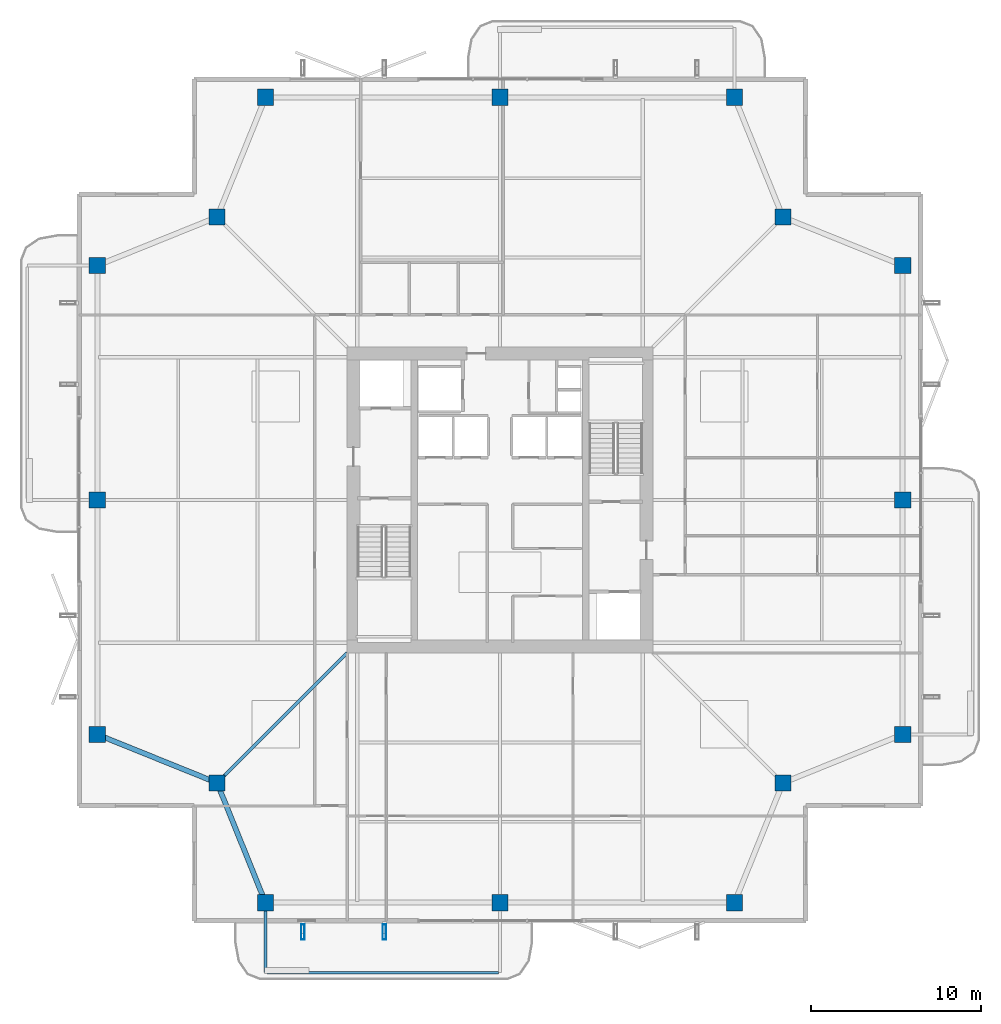
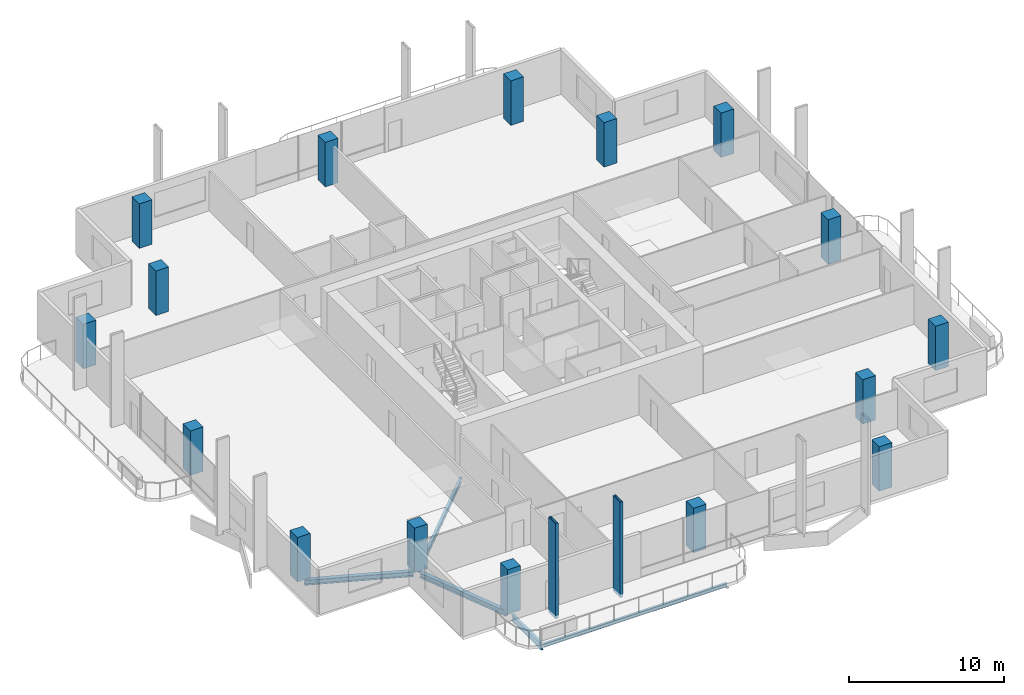
# One storey, part 1 of 25: 16 columns, 5 beams, 2 members.
"""IFC4 building model written with IfcOpenShell, lengths in metres."""

from ifc_helpers import new_model, si_unit, direction, frame, origin, origin_2d, place, context, subcontext, project, spatial, rectangle, hollow_rectangle, i_section, extrude, material, material_profile, profile_set, type_object, element, save


model = new_model("IFC4")

# Units and contexts
model_context = context("Model", 3, precision=1e-05, world=origin(), true_north=direction((0.0, 1.0)))
body_context = subcontext(model_context, "Body", "Model", "MODEL_VIEW")
ifc_project = project(units=[si_unit("LENGTHUNIT", "METRE"), si_unit("AREAUNIT", "SQUARE_METRE"), si_unit("VOLUMEUNIT", "CUBIC_METRE"), si_unit("PLANEANGLEUNIT", "RADIAN"), si_unit("MASSUNIT", "GRAM", prefix="KILO")], contexts=[model_context])

# Site, building, storey
site_placement = place(None, origin())
site = spatial("IfcSite", under=ifc_project, at=site_placement, CompositionType="ELEMENT")
building_placement = place(site_placement, origin())
building = spatial("IfcBuilding", under=site, at=building_placement, Name="Belovzor Exchange Tower", CompositionType="ELEMENT")
storey_placement = place(building_placement, frame((0.0, 0.0, 265.35009765625)))
storey = spatial("IfcBuildingStorey", under=building, at=storey_placement, Name="L66", CompositionType="ELEMENT", Elevation=265.35009765625)

# Columns
ifc_material_1 = material(Name="Concrete C50/60", Category="concrete")
ifc_material_profile_1 = material_profile(ifc_material_1, rectangle(XDim=0.949951171875, YDim=0.949951171875, at=origin_2d()))
ifc_profile_set_1 = profile_set([ifc_material_profile_1], Name="Concrete C50/60")
column_type = type_object("IfcColumnType", Name="Reinforced Concrete Tower Column 950x950", PredefinedType="COLUMN", material=ifc_profile_set_1)
for number, where, z_axis, x_axis, name in (
    (1, (15.0, 5.10009765625, 0.0029296875), (0.0, 0.0, 1.0), (1.0, 0.0, 0.0), "COL-T095 Reinforced Concrete Tower Column 950x950"),
    (2, (28.800048828125, 5.10009765625, 0.0029296875), (0.0, 0.0, 1.0), (1.0, 0.0, 0.0), "COL-T095 Reinforced Concrete Tower Column 950x950"),
    (3, (42.60009765625, 5.10009765625, 0.0029296875), (0.0, 0.0, 1.0), (1.0, 0.0, 0.0), "COL-T095 Reinforced Concrete Tower Column 950x950"),
    (4, (52.5, 15.0, 0.0029296875), (0.0, 0.0, 1.0), (1.0, 0.0, 0.0), "COL-T095 Reinforced Concrete Tower Column 950x950"),
    (5, (52.5, 28.800048828125, 0.0029296875), (0.0, 0.0, 1.0), (1.0, 0.0, 0.0), "COL-T095 Reinforced Concrete Tower Column 950x950"),
    (6, (52.5, 42.60009765625, 0.0029296875), (0.0, 0.0, 1.0), (1.0, 0.0, 0.0), "COL-T095 Reinforced Concrete Tower Column 950x950"),
    (7, (42.60009765625, 52.5, 0.0029296875), (0.0, 0.0, 1.0), (1.0, 0.0, 0.0), "COL-T095 Reinforced Concrete Tower Column 950x950"),
    (8, (28.800048828125, 52.5, 0.0029296875), (0.0, 0.0, 1.0), (1.0, 0.0, 0.0), "COL-T095 Reinforced Concrete Tower Column 950x950"),
    (9, (15.0, 52.5, 0.0029296875), (0.0, 0.0, 1.0), (1.0, 0.0, 0.0), "COL-T095 Reinforced Concrete Tower Column 950x950"),
    (10, (5.10009765625, 42.60009765625, 0.0029296875), (0.0, 0.0, 1.0), (1.0, 0.0, 0.0), "COL-T095 Reinforced Concrete Tower Column 950x950"),
    (11, (5.10009765625, 28.800048828125, 0.0029296875), (0.0, 0.0, 1.0), (1.0, 0.0, 0.0), "COL-T095 Reinforced Concrete Tower Column 950x950"),
    (12, (5.10009765625, 15.0, 0.0029296875), (0.0, 0.0, 1.0), (1.0, 0.0, 0.0), "COL-T095 Reinforced Concrete Tower Column 950x950"),
    (13, (12.14990234375, 12.14990234375, 0.0029296875), (0.0, 0.0, 1.0), (1.0, 0.0, 0.0), "COL-T095 Reinforced Concrete Tower Column 950x950"),
    (14, (45.449951171875, 12.14990234375, 0.0029296875), (0.0, 0.0, 1.0), (1.0, 0.0, 0.0), "COL-T095 Reinforced Concrete Tower Column 950x950"),
    (15, (45.449951171875, 45.449951171875, 0.0029296875), (0.0, 0.0, 1.0), (1.0, 0.0, 0.0), "COL-T095 Reinforced Concrete Tower Column 950x950"),
    (16, (12.14990234375, 45.449951171875, 0.0029296875), (0.0, 0.0, 1.0), (1.0, 0.0, 0.0), "COL-T095 Reinforced Concrete Tower Column 950x950"),
):
    element("IfcColumn", number, at=place(storey_placement, frame(where, z_axis=z_axis, x_axis=x_axis)), inside=storey, type_object=column_type, Name=name, PredefinedType="COLUMN", context=body_context, shape_type="SweptSolid", body=[
        extrude(rectangle(XDim=0.949951171875, YDim=0.949951171875, at=origin_2d()), origin(), (0.0, 0.0, 1.0), 3.493896484375),
    ])

# Beams
ifc_material_2 = material(Name="Steel S355", Category="steel")
ifc_material_profile_2 = material_profile(ifc_material_2, i_section(OverallWidth=0.199951171875, OverallDepth=0.5, WebThickness=0.01025390625, FlangeThickness=0.01611328125, at=origin_2d()))
ifc_profile_set_2 = profile_set([ifc_material_profile_2], Name="Steel S355")
beam_type_1 = type_object("IfcBeamType", Name="Planted Balcony Cantilever Beam IPE 500", PredefinedType="BEAM", material=ifc_profile_set_2)
beam_1_placement = place(storey_placement, frame((15.0, 4.839111328125, -0.5), z_axis=(0.0, -1.0, 0.0), x_axis=(1.0, 0.0, 0.0)))
element("IfcBeam", 17, at=beam_1_placement, inside=storey, type_object=beam_type_1, Name="BC-500 Planted Balcony Cantilever Beam IPE 500", PredefinedType="BEAM", context=body_context, shape_type="SweptSolid", body=[
    extrude(i_section(OverallWidth=0.199951171875, OverallDepth=0.5, WebThickness=0.01025390625, FlangeThickness=0.01611328125, at=origin_2d()), origin(), (0.0, 0.0, 1.0), 3.85009765625),
])
ifc_material_3 = material(Name="Steel S355", Category="steel")
ifc_material_profile_3 = material_profile(ifc_material_3, i_section(OverallWidth=0.14990234375, OverallDepth=0.300048828125, WebThickness=0.007080078125, FlangeThickness=0.0107421875, at=origin_2d()))
ifc_profile_set_3 = profile_set([ifc_material_profile_3], Name="Steel S355")
beam_type_2 = type_object("IfcBeamType", Name="Planted Balcony Fascia Edge Beam IPE 300", PredefinedType="BEAM", material=ifc_profile_set_3)
beam_2_placement = place(storey_placement, frame((15.10009765625, 0.989013671875, -0.400146484375), z_axis=(1.0, 0.0, 0.0), x_axis=(0.0, 1.0, 0.0)))
element("IfcBeam", 18, at=beam_2_placement, inside=storey, type_object=beam_type_2, Name="BC-300 Planted Balcony Fascia Edge Beam IPE 300", PredefinedType="BEAM", context=body_context, shape_type="SweptSolid", body=[
    extrude(i_section(OverallWidth=0.14990234375, OverallDepth=0.300048828125, WebThickness=0.007080078125, FlangeThickness=0.0107421875, at=origin_2d()), origin(), (0.0, 0.0, 1.0), 13.599853515625),
])

# Members
ifc_material_4 = material(Name="Extruded Architectural Terracotta on Steel S355 Carrier", Category="masonry")
ifc_material_profile_4 = material_profile(ifc_material_4, hollow_rectangle(XDim=0.199951171875, YDim=0.89990234375, WallThickness=0.011962890625, at=origin_2d()))
ifc_profile_set_4 = profile_set([ifc_material_profile_4], Name="Extruded Architectural Terracotta on Steel S355 Carrier")
member_type = type_object("IfcMemberType", Name="Sweeping Terracotta Baguette Fin Assembly 950", PredefinedType="USERDEFINED", material=ifc_profile_set_4)
for number, where, z_axis, x_axis, name in (
    (19, (17.199951171875, 3.375, -0.25), (0.0, 0.0, 1.0), (1.0, 0.0, 0.0), "FIN-TC095 Terracotta Facade Fin L66 S1"),
    (20, (22.0, 3.375, -0.25), (0.0, 0.0, 1.0), (1.0, 0.0, 0.0), "FIN-TC095 Terracotta Facade Fin L66 S2"),
):
    element("IfcMember", number, at=place(storey_placement, frame(where, z_axis=z_axis, x_axis=x_axis)), inside=storey, type_object=member_type, Name=name, ObjectType="FIN", PredefinedType="USERDEFINED", context=body_context, shape_type="SweptSolid", body=[
        extrude(hollow_rectangle(XDim=0.199951171875, YDim=0.89990234375, WallThickness=0.011962890625, at=origin_2d()), origin(), (0.0, 0.0, 1.0), 7.5),
    ])

# Beams
ifc_material_5 = material(Name="Steel S355", Category="steel")
ifc_material_profile_5 = material_profile(ifc_material_5, i_section(OverallWidth=0.300048828125, OverallDepth=0.39990234375, WebThickness=0.013427734375, FlangeThickness=0.02392578125, at=origin_2d()))
ifc_profile_set_5 = profile_set([ifc_material_profile_5], Name="Steel S355")
beam_type_3 = type_object("IfcBeamType", Name="Zone 5 Primary Girder HEB 400", PredefinedType="BEAM", material=ifc_profile_set_5)
for number, where, z_axis, x_axis, name in (
    (21, (12.248046875, 11.907958984375, -0.4501953125), (0.374758283536, -0.927122553345, 0.0), (0.927122553345, 0.374758283536, 0.0), "FG-Z5 Zone 5 Primary Girder HEB 400"),
    (22, (5.342041015625, 14.902099609375, -0.4501953125), (0.927122553345, -0.374758283536, 0.0), (0.374758283536, 0.927122553345, 0.0), "FG-Z5 Zone 5 Primary Girder HEB 400"),
):
    element("IfcBeam", number, at=place(storey_placement, frame(where, z_axis=z_axis, x_axis=x_axis)), inside=storey, type_object=beam_type_3, Name=name, PredefinedType="BEAM", context=body_context, shape_type="SweptSolid", body=[
        extrude(i_section(OverallWidth=0.300048828125, OverallDepth=0.39990234375, WebThickness=0.013427734375, FlangeThickness=0.02392578125, at=origin_2d()), origin(), (0.0, 0.0, 1.0), 7.08203125),
    ])
ifc_material_6 = material(Name="Steel S355", Category="steel")
ifc_material_profile_6 = material_profile(ifc_material_6, i_section(OverallWidth=0.179931640625, OverallDepth=0.39990234375, WebThickness=0.008544921875, FlangeThickness=0.013427734375, at=origin_2d()))
ifc_profile_set_6 = profile_set([ifc_material_profile_6], Name="Steel S355")
beam_type_4 = type_object("IfcBeamType", Name="Zone 5-6 Radial Composite Floor Beam IPE 400", PredefinedType="BEAM", material=ifc_profile_set_6)
beam_3_placement = place(storey_placement, frame((19.800048828125, 19.800048828125, -0.4501953125), z_axis=(-0.707106781187, -0.707106781187, 0.0), x_axis=(0.707106781187, -0.707106781187, 0.0)))
element("IfcBeam", 23, at=beam_3_placement, inside=storey, type_object=beam_type_4, Name="FB-400 Zone 5-6 Radial Composite Floor Beam IPE 400", PredefinedType="BEAM", context=body_context, shape_type="SweptSolid", body=[
    extrude(i_section(OverallWidth=0.179931640625, OverallDepth=0.39990234375, WebThickness=0.008544921875, FlangeThickness=0.013427734375, at=origin_2d()), origin(), (0.0, 0.0, 1.0), 10.482421875),
])

save(model, "model.ifc")
